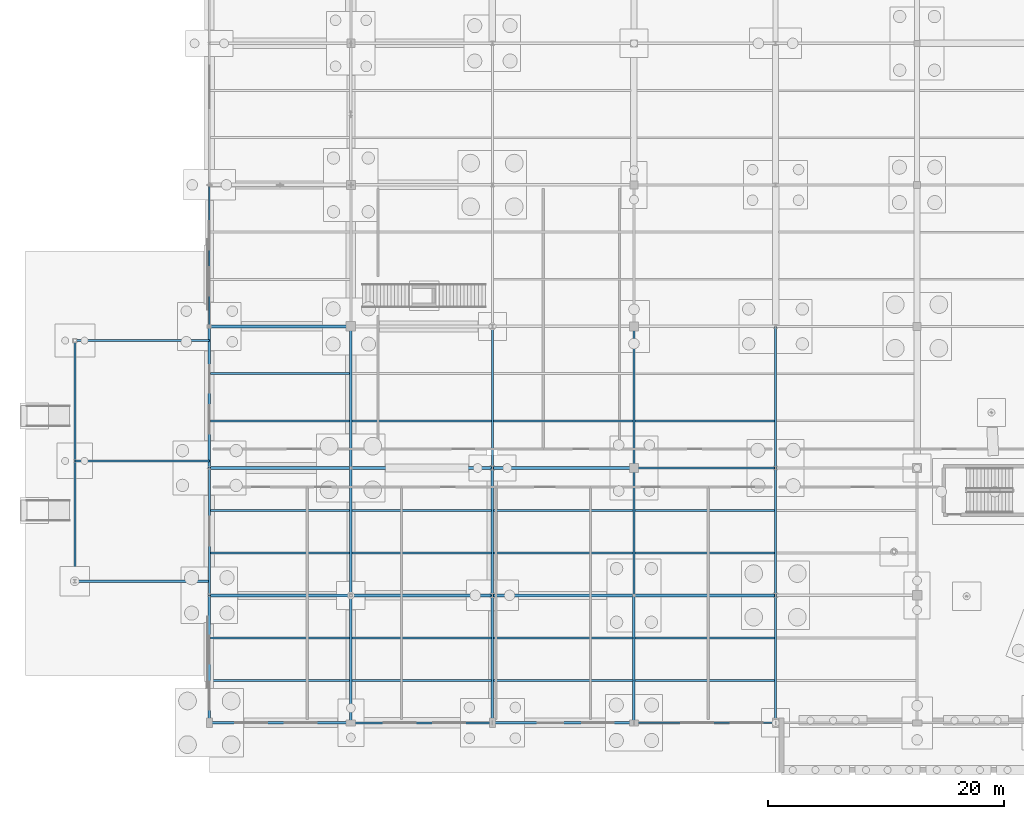
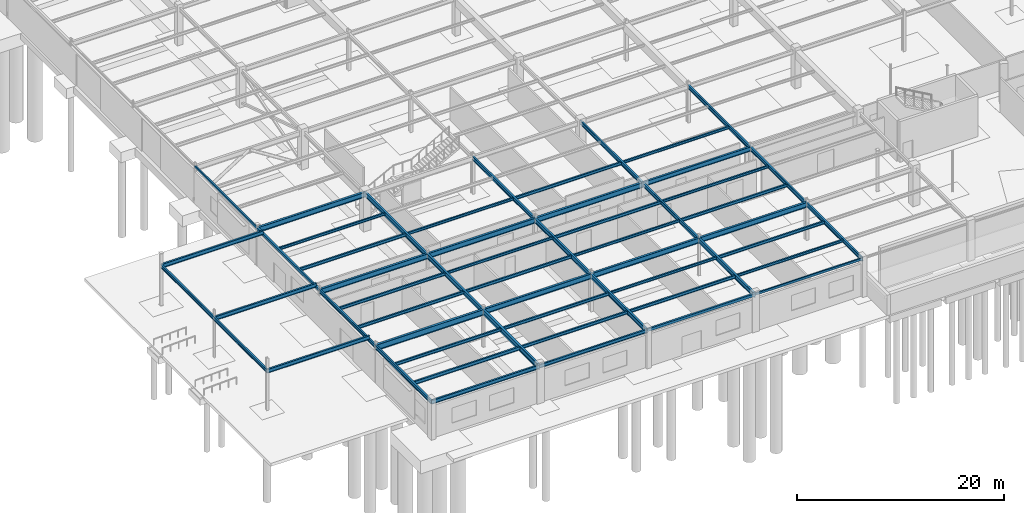
# One storey, part 78 of 136: 54 beams.
"""IFC4 building model written with IfcOpenShell, lengths in metres."""

from ifc_helpers import new_model, si_unit, direction, frame, origin, origin_2d, place, context, subcontext, project, spatial, hollow_rectangle, i_section, extrude, material, material_profile, profile_set, type_object, element, save


model = new_model("IFC4")

# Units and contexts
model_context = context("Model", 3, precision=1e-05, world=origin(), true_north=direction((0.0, 1.0)))
body_context = subcontext(model_context, "Body", "Model", "MODEL_VIEW")
ifc_project = project(units=[si_unit("LENGTHUNIT", "METRE"), si_unit("AREAUNIT", "SQUARE_METRE"), si_unit("VOLUMEUNIT", "CUBIC_METRE"), si_unit("PLANEANGLEUNIT", "RADIAN"), si_unit("MASSUNIT", "GRAM", prefix="KILO")], contexts=[model_context])

# Site, building, storey
site_placement = place(None, origin())
site = spatial("IfcSite", under=ifc_project, at=site_placement, CompositionType="ELEMENT")
building_placement = place(site_placement, origin())
building = spatial("IfcBuilding", under=site, at=building_placement, Name="Tarnwether General Hospital", CompositionType="ELEMENT")
storey_placement = place(building_placement, frame((0.0, 0.0, -4.800048828125)))
storey = spatial("IfcBuildingStorey", under=building, at=storey_placement, Name="LG", CompositionType="ELEMENT", Elevation=-4.800048828125)

# Beams
ifc_material_1 = material(Name="Steel Grade 350 (350 MPa)", Category="steel")
ifc_material_profile_1 = material_profile(ifc_material_1, i_section(OverallWidth=0.25, OverallDepth=0.69189453125, WebThickness=0.009033203125, FlangeThickness=0.01611328125, at=origin_2d()), Name="700WB115")
ifc_profile_set_1 = profile_set([ifc_material_profile_1], Name="Steel Grade 350 (350 MPa)")
beam_type_1 = type_object("IfcBeamType", Name="BM-G02", PredefinedType="BEAM", material=ifc_profile_set_1)
beam_1_placement = place(storey_placement, frame((0.0, 10.800048828125, 4.083984375), z_axis=(1.0, 0.0, 0.0), x_axis=(0.0, 1.0, 0.0)))
element("IfcBeam", 1, at=beam_1_placement, inside=storey, type_object=beam_type_1, Name="Primary Girder BMG-LG-0_1080-1200_1080-0011", PredefinedType="BEAM", context=body_context, shape_type="SweptSolid", body=[
    extrude(i_section(OverallWidth=0.25, OverallDepth=0.69189453125, WebThickness=0.009033203125, FlangeThickness=0.01611328125, at=origin_2d()), origin(), (0.0, 0.0, 1.0), 12.0),
])
ifc_material_2 = material(Name="Steel Grade 350 (350 MPa)", Category="steel")
ifc_material_profile_2 = material_profile(ifc_material_2, i_section(OverallWidth=0.22900390625, OverallDepth=0.612060546875, WebThickness=0.011962890625, FlangeThickness=0.01953125, at=origin_2d()), Name="610UB125")
ifc_profile_set_2 = profile_set([ifc_material_profile_2], Name="Steel Grade 350 (350 MPa)")
beam_type_2 = type_object("IfcBeamType", Name="BM-G03", PredefinedType="BEAM", material=ifc_profile_set_2)
for number, where, z_axis, x_axis, name in (
    (2, (0.0, 21.60009765625, 4.1240234375), (1.0, 0.0, 0.0), (0.0, 1.0, 0.0), "Primary Girder BMG-LG-0_2160-1200_2160-0013"),
    (3, (12.0, 10.800048828125, 4.1240234375), (1.0, 0.0, 0.0), (0.0, 1.0, 0.0), "Primary Girder BMG-LG-1200_1080-2400_1080-0034"),
):
    element("IfcBeam", number, at=place(storey_placement, frame(where, z_axis=z_axis, x_axis=x_axis)), inside=storey, type_object=beam_type_2, Name=name, PredefinedType="BEAM", context=body_context, shape_type="SweptSolid", body=[
        extrude(i_section(OverallWidth=0.22900390625, OverallDepth=0.612060546875, WebThickness=0.011962890625, FlangeThickness=0.01953125, at=origin_2d()), origin(), (0.0, 0.0, 1.0), 12.0),
    ])
ifc_material_3 = material(Name="Steel Grade 350 (350 MPa)", Category="steel")
ifc_material_profile_3 = material_profile(ifc_material_3, i_section(OverallWidth=0.22802734375, OverallDepth=0.60693359375, WebThickness=0.01123046875, FlangeThickness=0.017333984375, at=origin_2d()), Name="610UB113")
ifc_profile_set_3 = profile_set([ifc_material_profile_3], Name="Steel Grade 350 (350 MPa)")
beam_type_3 = type_object("IfcBeamType", Name="BM-G04", PredefinedType="BEAM", material=ifc_profile_set_3)
for number, where, z_axis, x_axis, name in (
    (4, (0.0, 33.60009765625, 4.12646484375), (1.0, 0.0, 0.0), (0.0, 1.0, 0.0), "Primary Girder BMG-LG-0_3360-1200_3360-0015"),
    (5, (12.0, 21.60009765625, 4.12646484375), (1.0, 0.0, 0.0), (0.0, 1.0, 0.0), "Primary Girder BMG-LG-1200_2160-2400_2160-0036"),
    (6, (24.0, 10.800048828125, 4.12646484375), (1.0, 0.0, 0.0), (0.0, 1.0, 0.0), "Primary Girder BMG-LG-2400_1080-3600_1080-0057"),
):
    element("IfcBeam", number, at=place(storey_placement, frame(where, z_axis=z_axis, x_axis=x_axis)), inside=storey, type_object=beam_type_3, Name=name, PredefinedType="BEAM", context=body_context, shape_type="SweptSolid", body=[
        extrude(i_section(OverallWidth=0.22802734375, OverallDepth=0.60693359375, WebThickness=0.01123046875, FlangeThickness=0.017333984375, at=origin_2d()), origin(), (0.0, 0.0, 1.0), 12.0),
    ])
ifc_material_4 = material(Name="Steel Grade 350 (350 MPa)", Category="steel")
ifc_material_profile_4 = material_profile(ifc_material_4, i_section(OverallWidth=0.22802734375, OverallDepth=0.60205078125, WebThickness=0.010498046875, FlangeThickness=0.014892578125, at=origin_2d()), Name="610UB101")
ifc_profile_set_4 = profile_set([ifc_material_profile_4], Name="Steel Grade 350 (350 MPa)")
beam_type_4 = type_object("IfcBeamType", Name="BM-G05", PredefinedType="BEAM", material=ifc_profile_set_4)
beam_2_placement = place(storey_placement, frame((12.0, 0.0, 4.129150390625), z_axis=(0.0, 1.0, 0.0), x_axis=(-1.0, 0.0, 0.0)))
element("IfcBeam", 7, at=beam_2_placement, inside=storey, type_object=beam_type_4, Name="Primary Girder BMG-LG-1200_0-1200_1080-0033", PredefinedType="BEAM", context=body_context, shape_type="SweptSolid", body=[
    extrude(i_section(OverallWidth=0.22802734375, OverallDepth=0.60205078125, WebThickness=0.010498046875, FlangeThickness=0.014892578125, at=origin_2d()), origin(), (0.0, 0.0, 1.0), 10.800048828125),
])
for number, where, z_axis, x_axis, name in (
    (8, (24.0, 21.60009765625, 4.129150390625), (1.0, 0.0, 0.0), (0.0, 1.0, 0.0), "Primary Girder BMG-LG-2400_2160-3600_2160-0059"),
    (9, (36.0, 10.800048828125, 4.129150390625), (1.0, 0.0, 0.0), (0.0, 1.0, 0.0), "Primary Girder BMG-LG-3600_1080-4800_1080-0080"),
):
    element("IfcBeam", number, at=place(storey_placement, frame(where, z_axis=z_axis, x_axis=x_axis)), inside=storey, type_object=beam_type_4, Name=name, PredefinedType="BEAM", context=body_context, shape_type="SweptSolid", body=[
        extrude(i_section(OverallWidth=0.22802734375, OverallDepth=0.60205078125, WebThickness=0.010498046875, FlangeThickness=0.014892578125, at=origin_2d()), origin(), (0.0, 0.0, 1.0), 12.0),
    ])
ifc_material_5 = material(Name="Steel Grade 350 (350 MPa)", Category="steel")
ifc_material_profile_5 = material_profile(ifc_material_5, i_section(OverallWidth=0.208984375, OverallDepth=0.532958984375, WebThickness=0.01025390625, FlangeThickness=0.015625, at=origin_2d()), Name="530UB92.4")
ifc_profile_set_5 = profile_set([ifc_material_profile_5], Name="Steel Grade 350 (350 MPa)")
beam_type_5 = type_object("IfcBeamType", Name="BM-G06", PredefinedType="BEAM", material=ifc_profile_set_5)
for number, where, z_axis, x_axis, name in (
    (10, (12.0, 10.800048828125, 4.16357421875), (0.0, 1.0, 0.0), (-1.0, 0.0, 0.0), "Primary Girder BMG-LG-1200_1080-1200_2160-0035"),
    (11, (24.0, 0.0, 4.16357421875), (0.0, 1.0, 0.0), (-1.0, 0.0, 0.0), "Primary Girder BMG-LG-2400_0-2400_1080-0056"),
):
    element("IfcBeam", number, at=place(storey_placement, frame(where, z_axis=z_axis, x_axis=x_axis)), inside=storey, type_object=beam_type_5, Name=name, PredefinedType="BEAM", context=body_context, shape_type="SweptSolid", body=[
        extrude(i_section(OverallWidth=0.208984375, OverallDepth=0.532958984375, WebThickness=0.01025390625, FlangeThickness=0.015625, at=origin_2d()), origin(), (0.0, 0.0, 1.0), 10.800048828125),
    ])
beam_3_placement = place(storey_placement, frame((36.0, 21.60009765625, 4.16357421875), z_axis=(1.0, 0.0, 0.0), x_axis=(0.0, 1.0, 0.0)))
element("IfcBeam", 12, at=beam_3_placement, inside=storey, type_object=beam_type_5, Name="Primary Girder BMG-LG-3600_2160-4800_2160-0082", PredefinedType="BEAM", context=body_context, shape_type="SweptSolid", body=[
    extrude(i_section(OverallWidth=0.208984375, OverallDepth=0.532958984375, WebThickness=0.01025390625, FlangeThickness=0.015625, at=origin_2d()), origin(), (0.0, 0.0, 1.0), 12.0),
])
ifc_material_6 = material(Name="Steel Grade 350 (350 MPa)", Category="steel")
ifc_material_profile_6 = material_profile(ifc_material_6, i_section(OverallWidth=0.208984375, OverallDepth=0.528076171875, WebThickness=0.009521484375, FlangeThickness=0.01318359375, at=origin_2d()), Name="530UB82.0")
ifc_profile_set_6 = profile_set([ifc_material_profile_6], Name="Steel Grade 350 (350 MPa)")
beam_type_6 = type_object("IfcBeamType", Name="BM-G07", PredefinedType="BEAM", material=ifc_profile_set_6)
beam_4_placement = place(storey_placement, frame((12.0, 21.60009765625, 4.166015625), z_axis=(0.0, 1.0, 0.0), x_axis=(-1.0, 0.0, 0.0)))
element("IfcBeam", 13, at=beam_4_placement, inside=storey, type_object=beam_type_6, Name="Primary Girder BMG-LG-1200_2160-1200_3360-0037", PredefinedType="BEAM", context=body_context, shape_type="SweptSolid", body=[
    extrude(i_section(OverallWidth=0.208984375, OverallDepth=0.528076171875, WebThickness=0.009521484375, FlangeThickness=0.01318359375, at=origin_2d()), origin(), (0.0, 0.0, 1.0), 12.0),
])
for number, where, z_axis, x_axis, name in (
    (14, (24.0, 10.800048828125, 4.166015625), (0.0, 1.0, 0.0), (-1.0, 0.0, 0.0), "Primary Girder BMG-LG-2400_1080-2400_2160-0058"),
    (15, (36.0, 0.0, 4.166015625), (0.0, 1.0, 0.0), (-1.0, 0.0, 0.0), "Primary Girder BMG-LG-3600_0-3600_1080-0079"),
):
    element("IfcBeam", number, at=place(storey_placement, frame(where, z_axis=z_axis, x_axis=x_axis)), inside=storey, type_object=beam_type_6, Name=name, PredefinedType="BEAM", context=body_context, shape_type="SweptSolid", body=[
        extrude(i_section(OverallWidth=0.208984375, OverallDepth=0.528076171875, WebThickness=0.009521484375, FlangeThickness=0.01318359375, at=origin_2d()), origin(), (0.0, 0.0, 1.0), 10.800048828125),
    ])
ifc_material_7 = material(Name="Steel Grade 350 (350 MPa)", Category="steel")
ifc_material_profile_7 = material_profile(ifc_material_7, i_section(OverallWidth=0.19091796875, OverallDepth=0.4599609375, WebThickness=0.010009765625, FlangeThickness=0.01611328125, at=origin_2d()), Name="460UB82.1")
ifc_profile_set_7 = profile_set([ifc_material_profile_7], Name="Steel Grade 350 (350 MPa)")
beam_type_7 = type_object("IfcBeamType", Name="BM-G08", PredefinedType="BEAM", material=ifc_profile_set_7)
beam_5_placement = place(storey_placement, frame((24.0, 21.60009765625, 4.199951171875), z_axis=(0.0, 1.0, 0.0), x_axis=(-1.0, 0.0, 0.0)))
element("IfcBeam", 16, at=beam_5_placement, inside=storey, type_object=beam_type_7, Name="Primary Girder BMG-LG-2400_2160-2400_3360-0060", PredefinedType="BEAM", context=body_context, shape_type="SweptSolid", body=[
    extrude(i_section(OverallWidth=0.19091796875, OverallDepth=0.4599609375, WebThickness=0.010009765625, FlangeThickness=0.01611328125, at=origin_2d()), origin(), (0.0, 0.0, 1.0), 12.0),
])
for number, where, z_axis, x_axis, name in (
    (17, (36.0, 10.800048828125, 4.199951171875), (0.0, 1.0, 0.0), (-1.0, 0.0, 0.0), "Primary Girder BMG-LG-3600_1080-3600_2160-0081"),
    (18, (48.0, 0.0, 4.199951171875), (0.0, 1.0, 0.0), (-1.0, 0.0, 0.0), "Primary Girder BMG-LG-4800_0-4800_1080-0100"),
):
    element("IfcBeam", number, at=place(storey_placement, frame(where, z_axis=z_axis, x_axis=x_axis)), inside=storey, type_object=beam_type_7, Name=name, PredefinedType="BEAM", context=body_context, shape_type="SweptSolid", body=[
        extrude(i_section(OverallWidth=0.19091796875, OverallDepth=0.4599609375, WebThickness=0.010009765625, FlangeThickness=0.01611328125, at=origin_2d()), origin(), (0.0, 0.0, 1.0), 10.800048828125),
    ])
for number, where, z_axis, x_axis, name in (
    (19, (-11.39990234375, 12.0, 4.570068359375), (1.0, 0.0, 0.0), (0.0, 1.0, 0.0), "Ambulance Canopy Girder BMG-LG--1140_1200-0_1200-1878"),
    (20, (-11.39990234375, 22.199951171875, 4.570068359375), (1.0, 0.0, 0.0), (0.0, 1.0, 0.0), "Ambulance Canopy Girder BMG-LG--1140_2220-0_2220-1879"),
    (21, (-11.39990234375, 32.39990234375, 4.570068359375), (1.0, 0.0, 0.0), (0.0, 1.0, 0.0), "Ambulance Canopy Girder BMG-LG--1140_3240-0_3240-1880"),
):
    element("IfcBeam", number, at=place(storey_placement, frame(where, z_axis=z_axis, x_axis=x_axis)), inside=storey, type_object=beam_type_7, Name=name, PredefinedType="BEAM", context=body_context, shape_type="SweptSolid", body=[
        extrude(i_section(OverallWidth=0.19091796875, OverallDepth=0.4599609375, WebThickness=0.010009765625, FlangeThickness=0.01611328125, at=origin_2d()), origin(), (0.0, 0.0, 1.0), 11.39990234375),
    ])
ifc_material_8 = material(Name="Steel Grade 350 (350 MPa)", Category="steel")
ifc_material_profile_8 = material_profile(ifc_material_8, i_section(OverallWidth=0.18994140625, OverallDepth=0.45703125, WebThickness=0.009033203125, FlangeThickness=0.014404296875, at=origin_2d()), Name="460UB74.6")
ifc_profile_set_8 = profile_set([ifc_material_profile_8], Name="Steel Grade 350 (350 MPa)")
beam_type_8 = type_object("IfcBeamType", Name="BM-G09", PredefinedType="BEAM", material=ifc_profile_set_8)
beam_6_placement = place(storey_placement, frame((36.0, 21.60009765625, 4.20166015625), z_axis=(0.0, 1.0, 0.0), x_axis=(-1.0, 0.0, 0.0)))
element("IfcBeam", 22, at=beam_6_placement, inside=storey, type_object=beam_type_8, Name="Primary Girder BMG-LG-3600_2160-3600_3360-0083", PredefinedType="BEAM", context=body_context, shape_type="SweptSolid", body=[
    extrude(i_section(OverallWidth=0.18994140625, OverallDepth=0.45703125, WebThickness=0.009033203125, FlangeThickness=0.014404296875, at=origin_2d()), origin(), (0.0, 0.0, 1.0), 12.0),
])
beam_7_placement = place(storey_placement, frame((48.0, 10.800048828125, 4.20166015625), z_axis=(0.0, 1.0, 0.0), x_axis=(-1.0, 0.0, 0.0)))
element("IfcBeam", 23, at=beam_7_placement, inside=storey, type_object=beam_type_8, Name="Primary Girder BMG-LG-4800_1080-4800_2160-0102", PredefinedType="BEAM", context=body_context, shape_type="SweptSolid", body=[
    extrude(i_section(OverallWidth=0.18994140625, OverallDepth=0.45703125, WebThickness=0.009033203125, FlangeThickness=0.014404296875, at=origin_2d()), origin(), (0.0, 0.0, 1.0), 10.800048828125),
])
ifc_material_9 = material(Name="Steel Grade 350 (350 MPa)", Category="steel")
ifc_material_profile_9 = material_profile(ifc_material_9, i_section(OverallWidth=0.18994140625, OverallDepth=0.4541015625, WebThickness=0.008544921875, FlangeThickness=0.0126953125, at=origin_2d()), Name="460UB67.1")
ifc_profile_set_9 = profile_set([ifc_material_profile_9], Name="Steel Grade 350 (350 MPa)")
beam_type_9 = type_object("IfcBeamType", Name="BM-G10", PredefinedType="BEAM", material=ifc_profile_set_9)
beam_8_placement = place(storey_placement, frame((48.0, 21.60009765625, 4.203125), z_axis=(0.0, 1.0, 0.0), x_axis=(-1.0, 0.0, 0.0)))
element("IfcBeam", 24, at=beam_8_placement, inside=storey, type_object=beam_type_9, Name="Primary Girder BMG-LG-4800_2160-4800_3360-0104", PredefinedType="BEAM", context=body_context, shape_type="SweptSolid", body=[
    extrude(i_section(OverallWidth=0.18994140625, OverallDepth=0.4541015625, WebThickness=0.008544921875, FlangeThickness=0.0126953125, at=origin_2d()), origin(), (0.0, 0.0, 1.0), 12.0),
])
ifc_material_10 = material(Name="Steel Grade 350 (350 MPa)", Category="steel")
ifc_material_profile_10 = material_profile(ifc_material_10, i_section(OverallWidth=0.177978515625, OverallDepth=0.403076171875, WebThickness=0.007568359375, FlangeThickness=0.010986328125, at=origin_2d()), Name="410UB53.7")
ifc_profile_set_10 = profile_set([ifc_material_profile_10], Name="Steel Grade 350 (350 MPa)")
beam_type_10 = type_object("IfcBeamType", Name="BM-J02", PredefinedType="JOIST", material=ifc_profile_set_10)
beam_9_placement = place(storey_placement, frame((0.089111328125, 3.60009765625, 4.228515625), z_axis=(1.0, 0.0, 0.0), x_axis=(0.0, 1.0, 0.0)))
element("IfcBeam", 25, at=beam_9_placement, inside=storey, type_object=beam_type_10, Name="Composite Floor Joist BMG-LG-9_360-1189_360-0334", PredefinedType="JOIST", context=body_context, shape_type="SweptSolid", body=[
    extrude(i_section(OverallWidth=0.177978515625, OverallDepth=0.403076171875, WebThickness=0.007568359375, FlangeThickness=0.010986328125, at=origin_2d()), origin(), (0.0, 0.0, 1.0), 11.802978515625),
])
ifc_material_11 = material(Name="Steel Grade 350 (350 MPa)", Category="steel")
ifc_material_profile_11 = material_profile(ifc_material_11, i_section(OverallWidth=0.172119140625, OverallDepth=0.35888671875, WebThickness=0.008056640625, FlangeThickness=0.012939453125, at=origin_2d()), Name="360UB56.7")
ifc_profile_set_11 = profile_set([ifc_material_profile_11], Name="Steel Grade 350 (350 MPa)")
beam_type_11 = type_object("IfcBeamType", Name="BM-J03", PredefinedType="JOIST", material=ifc_profile_set_11)
beam_10_placement = place(storey_placement, frame((0.089111328125, 7.199951171875, 4.25048828125), z_axis=(1.0, 0.0, 0.0), x_axis=(0.0, 1.0, 0.0)))
element("IfcBeam", 26, at=beam_10_placement, inside=storey, type_object=beam_type_11, Name="Composite Floor Joist BMG-LG-9_720-1189_720-0335", PredefinedType="JOIST", context=body_context, shape_type="SweptSolid", body=[
    extrude(i_section(OverallWidth=0.172119140625, OverallDepth=0.35888671875, WebThickness=0.008056640625, FlangeThickness=0.012939453125, at=origin_2d()), origin(), (0.0, 0.0, 1.0), 11.802978515625),
])
beam_11_placement = place(storey_placement, frame((0.0830078125, 14.39990234375, 4.25048828125), z_axis=(1.0, 0.0, 0.0), x_axis=(0.0, 1.0, 0.0)))
element("IfcBeam", 27, at=beam_11_placement, inside=storey, type_object=beam_type_11, Name="Composite Floor Joist BMG-LG-8_1440-1190_1440-0336", PredefinedType="JOIST", context=body_context, shape_type="SweptSolid", body=[
    extrude(i_section(OverallWidth=0.172119140625, OverallDepth=0.35888671875, WebThickness=0.008056640625, FlangeThickness=0.012939453125, at=origin_2d()), origin(), (0.0, 0.0, 1.0), 11.819091796875),
])
beam_12_placement = place(storey_placement, frame((12.10791015625, 3.60009765625, 4.25048828125), z_axis=(1.0, 0.0, 0.0), x_axis=(0.0, 1.0, 0.0)))
element("IfcBeam", 28, at=beam_12_placement, inside=storey, type_object=beam_type_11, Name="Composite Floor Joist BMG-LG-1211_360-2390_360-0356", PredefinedType="JOIST", context=body_context, shape_type="SweptSolid", body=[
    extrude(i_section(OverallWidth=0.172119140625, OverallDepth=0.35888671875, WebThickness=0.008056640625, FlangeThickness=0.012939453125, at=origin_2d()), origin(), (0.0, 0.0, 1.0), 11.79296875),
])
ifc_material_12 = material(Name="Steel Grade 350 (350 MPa)", Category="steel")
ifc_material_profile_12 = material_profile(ifc_material_12, i_section(OverallWidth=0.1708984375, OverallDepth=0.35595703125, WebThickness=0.00732421875, FlangeThickness=0.011474609375, at=origin_2d()), Name="360UB50.7")
ifc_profile_set_12 = profile_set([ifc_material_profile_12], Name="Steel Grade 350 (350 MPa)")
beam_type_12 = type_object("IfcBeamType", Name="BM-J04", PredefinedType="JOIST", material=ifc_profile_set_12)
beam_13_placement = place(storey_placement, frame((0.0830078125, 18.0, 4.251953125), z_axis=(1.0, 0.0, 0.0), x_axis=(0.0, 1.0, 0.0)))
element("IfcBeam", 29, at=beam_13_placement, inside=storey, type_object=beam_type_12, Name="Composite Floor Joist BMG-LG-8_1800-1190_1800-0337", PredefinedType="JOIST", context=body_context, shape_type="SweptSolid", body=[
    extrude(i_section(OverallWidth=0.1708984375, OverallDepth=0.35595703125, WebThickness=0.00732421875, FlangeThickness=0.011474609375, at=origin_2d()), origin(), (0.0, 0.0, 1.0), 11.819091796875),
])
beam_14_placement = place(storey_placement, frame((0.093994140625, 25.60009765625, 4.251953125), z_axis=(1.0, 0.0, 0.0), x_axis=(0.0, 1.0, 0.0)))
element("IfcBeam", 30, at=beam_14_placement, inside=storey, type_object=beam_type_12, Name="Composite Floor Joist BMG-LG-9_2560-1190_2560-0338", PredefinedType="JOIST", context=body_context, shape_type="SweptSolid", body=[
    extrude(i_section(OverallWidth=0.1708984375, OverallDepth=0.35595703125, WebThickness=0.00732421875, FlangeThickness=0.011474609375, at=origin_2d()), origin(), (0.0, 0.0, 1.0), 11.80810546875),
])
beam_15_placement = place(storey_placement, frame((12.10791015625, 7.199951171875, 4.251953125), z_axis=(1.0, 0.0, 0.0), x_axis=(0.0, 1.0, 0.0)))
element("IfcBeam", 31, at=beam_15_placement, inside=storey, type_object=beam_type_12, Name="Composite Floor Joist BMG-LG-1211_720-2390_720-0357", PredefinedType="JOIST", context=body_context, shape_type="SweptSolid", body=[
    extrude(i_section(OverallWidth=0.1708984375, OverallDepth=0.35595703125, WebThickness=0.00732421875, FlangeThickness=0.011474609375, at=origin_2d()), origin(), (0.0, 0.0, 1.0), 11.79296875),
])
beam_16_placement = place(storey_placement, frame((12.097900390625, 14.39990234375, 4.251953125), z_axis=(1.0, 0.0, 0.0), x_axis=(0.0, 1.0, 0.0)))
element("IfcBeam", 32, at=beam_16_placement, inside=storey, type_object=beam_type_12, Name="Composite Floor Joist BMG-LG-1210_1440-2390_1440-0358", PredefinedType="JOIST", context=body_context, shape_type="SweptSolid", body=[
    extrude(i_section(OverallWidth=0.1708984375, OverallDepth=0.35595703125, WebThickness=0.00732421875, FlangeThickness=0.011474609375, at=origin_2d()), origin(), (0.0, 0.0, 1.0), 11.802978515625),
])
beam_17_placement = place(storey_placement, frame((24.09912109375, 3.60009765625, 4.251953125), z_axis=(1.0, 0.0, 0.0), x_axis=(0.0, 1.0, 0.0)))
element("IfcBeam", 33, at=beam_17_placement, inside=storey, type_object=beam_type_12, Name="Composite Floor Joist BMG-LG-2410_360-3590_360-0377", PredefinedType="JOIST", context=body_context, shape_type="SweptSolid", body=[
    extrude(i_section(OverallWidth=0.1708984375, OverallDepth=0.35595703125, WebThickness=0.00732421875, FlangeThickness=0.011474609375, at=origin_2d()), origin(), (0.0, 0.0, 1.0), 11.8017578125),
])
ifc_material_13 = material(Name="Steel Grade 350 (350 MPa)", Category="steel")
ifc_material_profile_13 = material_profile(ifc_material_13, i_section(OverallWidth=0.166015625, OverallDepth=0.306884765625, WebThickness=0.006591796875, FlangeThickness=0.01171875, at=origin_2d()), Name="310UB46.2")
ifc_profile_set_13 = profile_set([ifc_material_profile_13], Name="Steel Grade 350 (350 MPa)")
beam_type_13 = type_object("IfcBeamType", Name="BM-J05", PredefinedType="JOIST", material=ifc_profile_set_13)
beam_18_placement = place(storey_placement, frame((0.093994140625, 29.60009765625, 4.276611328125), z_axis=(1.0, 0.0, 0.0), x_axis=(0.0, 1.0, 0.0)))
element("IfcBeam", 34, at=beam_18_placement, inside=storey, type_object=beam_type_13, Name="Composite Floor Joist BMG-LG-9_2960-1190_2960-0339", PredefinedType="JOIST", context=body_context, shape_type="SweptSolid", body=[
    extrude(i_section(OverallWidth=0.166015625, OverallDepth=0.306884765625, WebThickness=0.006591796875, FlangeThickness=0.01171875, at=origin_2d()), origin(), (0.0, 0.0, 1.0), 11.80810546875),
])
beam_19_placement = place(storey_placement, frame((12.097900390625, 18.0, 4.276611328125), z_axis=(1.0, 0.0, 0.0), x_axis=(0.0, 1.0, 0.0)))
element("IfcBeam", 35, at=beam_19_placement, inside=storey, type_object=beam_type_13, Name="Composite Floor Joist BMG-LG-1210_1800-2390_1800-0359", PredefinedType="JOIST", context=body_context, shape_type="SweptSolid", body=[
    extrude(i_section(OverallWidth=0.166015625, OverallDepth=0.306884765625, WebThickness=0.006591796875, FlangeThickness=0.01171875, at=origin_2d()), origin(), (0.0, 0.0, 1.0), 11.802978515625),
])
beam_20_placement = place(storey_placement, frame((12.097900390625, 25.60009765625, 4.276611328125), z_axis=(1.0, 0.0, 0.0), x_axis=(0.0, 1.0, 0.0)))
element("IfcBeam", 36, at=beam_20_placement, inside=storey, type_object=beam_type_13, Name="Composite Floor Joist BMG-LG-1210_2560-2391_2560-0360", PredefinedType="JOIST", context=body_context, shape_type="SweptSolid", body=[
    extrude(i_section(OverallWidth=0.166015625, OverallDepth=0.306884765625, WebThickness=0.006591796875, FlangeThickness=0.01171875, at=origin_2d()), origin(), (0.0, 0.0, 1.0), 11.81201171875),
])
beam_21_placement = place(storey_placement, frame((24.09912109375, 7.199951171875, 4.276611328125), z_axis=(1.0, 0.0, 0.0), x_axis=(0.0, 1.0, 0.0)))
element("IfcBeam", 37, at=beam_21_placement, inside=storey, type_object=beam_type_13, Name="Composite Floor Joist BMG-LG-2410_720-3590_720-0378", PredefinedType="JOIST", context=body_context, shape_type="SweptSolid", body=[
    extrude(i_section(OverallWidth=0.166015625, OverallDepth=0.306884765625, WebThickness=0.006591796875, FlangeThickness=0.01171875, at=origin_2d()), origin(), (0.0, 0.0, 1.0), 11.8017578125),
])
for number, where, z_axis, x_axis, name in (
    (38, (24.09912109375, 14.39990234375, 4.276611328125), (1.0, 0.0, 0.0), (0.0, 1.0, 0.0), "Composite Floor Joist BMG-LG-2410_1440-3591_1440-0379"),
    (39, (36.09912109375, 3.60009765625, 4.276611328125), (1.0, 0.0, 0.0), (0.0, 1.0, 0.0), "Composite Floor Joist BMG-LG-3610_360-4791_360-0395"),
):
    element("IfcBeam", number, at=place(storey_placement, frame(where, z_axis=z_axis, x_axis=x_axis)), inside=storey, type_object=beam_type_13, Name=name, PredefinedType="JOIST", context=body_context, shape_type="SweptSolid", body=[
        extrude(i_section(OverallWidth=0.166015625, OverallDepth=0.306884765625, WebThickness=0.006591796875, FlangeThickness=0.01171875, at=origin_2d()), origin(), (0.0, 0.0, 1.0), 11.810791015625),
    ])
ifc_material_14 = material(Name="Steel Grade 350 (350 MPa)", Category="steel")
ifc_material_profile_14 = material_profile(ifc_material_14, i_section(OverallWidth=0.1708984375, OverallDepth=0.35205078125, WebThickness=0.0068359375, FlangeThickness=0.009765625, at=origin_2d()), Name="360UB44.7")
ifc_profile_set_14 = profile_set([ifc_material_profile_14], Name="Steel Grade 350 (350 MPa)")
beam_type_14 = type_object("IfcBeamType", Name="BM-J06", PredefinedType="JOIST", material=ifc_profile_set_14)
beam_22_placement = place(storey_placement, frame((24.09912109375, 18.0, 4.254150390625), z_axis=(1.0, 0.0, 0.0), x_axis=(0.0, 1.0, 0.0)))
element("IfcBeam", 40, at=beam_22_placement, inside=storey, type_object=beam_type_14, Name="Composite Floor Joist BMG-LG-2410_1800-3591_1800-0380", PredefinedType="JOIST", context=body_context, shape_type="SweptSolid", body=[
    extrude(i_section(OverallWidth=0.1708984375, OverallDepth=0.35205078125, WebThickness=0.0068359375, FlangeThickness=0.009765625, at=origin_2d()), origin(), (0.0, 0.0, 1.0), 11.810791015625),
])
beam_23_placement = place(storey_placement, frame((24.090087890625, 25.60009765625, 4.254150390625), z_axis=(1.0, 0.0, 0.0), x_axis=(0.0, 1.0, 0.0)))
element("IfcBeam", 41, at=beam_23_placement, inside=storey, type_object=beam_type_14, Name="Composite Floor Joist BMG-LG-2409_2560-3591_2560-0381", PredefinedType="JOIST", context=body_context, shape_type="SweptSolid", body=[
    extrude(i_section(OverallWidth=0.1708984375, OverallDepth=0.35205078125, WebThickness=0.0068359375, FlangeThickness=0.009765625, at=origin_2d()), origin(), (0.0, 0.0, 1.0), 11.82080078125),
])
beam_24_placement = place(storey_placement, frame((36.09912109375, 7.199951171875, 4.254150390625), z_axis=(1.0, 0.0, 0.0), x_axis=(0.0, 1.0, 0.0)))
element("IfcBeam", 42, at=beam_24_placement, inside=storey, type_object=beam_type_14, Name="Composite Floor Joist BMG-LG-3610_720-4791_720-0396", PredefinedType="JOIST", context=body_context, shape_type="SweptSolid", body=[
    extrude(i_section(OverallWidth=0.1708984375, OverallDepth=0.35205078125, WebThickness=0.0068359375, FlangeThickness=0.009765625, at=origin_2d()), origin(), (0.0, 0.0, 1.0), 11.810791015625),
])
beam_25_placement = place(storey_placement, frame((36.090087890625, 14.39990234375, 4.254150390625), z_axis=(1.0, 0.0, 0.0), x_axis=(0.0, 1.0, 0.0)))
element("IfcBeam", 43, at=beam_25_placement, inside=storey, type_object=beam_type_14, Name="Composite Floor Joist BMG-LG-3609_1440-4791_1440-0397", PredefinedType="JOIST", context=body_context, shape_type="SweptSolid", body=[
    extrude(i_section(OverallWidth=0.1708984375, OverallDepth=0.35205078125, WebThickness=0.0068359375, FlangeThickness=0.009765625, at=origin_2d()), origin(), (0.0, 0.0, 1.0), 11.82080078125),
])
ifc_material_15 = material(Name="Steel Grade 350 (350 MPa)", Category="steel")
ifc_material_profile_15 = material_profile(ifc_material_15, i_section(OverallWidth=0.1650390625, OverallDepth=0.303955078125, WebThickness=0.006103515625, FlangeThickness=0.01025390625, at=origin_2d()), Name="310UB40.4")
ifc_profile_set_15 = profile_set([ifc_material_profile_15], Name="Steel Grade 350 (350 MPa)")
beam_type_15 = type_object("IfcBeamType", Name="BM-J07", PredefinedType="JOIST", material=ifc_profile_set_15)
beam_26_placement = place(storey_placement, frame((36.090087890625, 18.0, 4.278076171875), z_axis=(1.0, 0.0, 0.0), x_axis=(0.0, 1.0, 0.0)))
element("IfcBeam", 44, at=beam_26_placement, inside=storey, type_object=beam_type_15, Name="Composite Floor Joist BMG-LG-3609_1800-4791_1800-0398", PredefinedType="JOIST", context=body_context, shape_type="SweptSolid", body=[
    extrude(i_section(OverallWidth=0.1650390625, OverallDepth=0.303955078125, WebThickness=0.006103515625, FlangeThickness=0.01025390625, at=origin_2d()), origin(), (0.0, 0.0, 1.0), 11.82080078125),
])
beam_27_placement = place(storey_placement, frame((36.089111328125, 25.60009765625, 4.278076171875), z_axis=(1.0, 0.0, 0.0), x_axis=(0.0, 1.0, 0.0)))
element("IfcBeam", 45, at=beam_27_placement, inside=storey, type_object=beam_type_15, Name="Composite Floor Joist BMG-LG-3609_2560-4791_2560-0399", PredefinedType="JOIST", context=body_context, shape_type="SweptSolid", body=[
    extrude(i_section(OverallWidth=0.1650390625, OverallDepth=0.303955078125, WebThickness=0.006103515625, FlangeThickness=0.01025390625, at=origin_2d()), origin(), (0.0, 0.0, 1.0), 11.82177734375),
])
ifc_material_16 = material(Name="Steel Grade 350 (350 MPa)", Category="steel")
ifc_material_profile_16 = material_profile(ifc_material_16, i_section(OverallWidth=0.18994140625, OverallDepth=0.4541015625, WebThickness=0.008544921875, FlangeThickness=0.0126953125, at=origin_2d()), Name="460UB67.1")
ifc_profile_set_16 = profile_set([ifc_material_profile_16], Name="Steel Grade 350 (350 MPa)")
beam_type_16 = type_object("IfcBeamType", Name="BM-SP1", PredefinedType="SPANDREL", material=ifc_profile_set_16)
beam_28_placement = place(storey_placement, frame((0.0, 0.0, 4.203125), z_axis=(1.0, 0.0, 0.0), x_axis=(0.0, 1.0, 0.0)))
element("IfcBeam", 46, at=beam_28_placement, inside=storey, type_object=beam_type_16, Name="Primary Girder BMG-LG-0_0-1200_0-0009", PredefinedType="SPANDREL", context=body_context, shape_type="SweptSolid", body=[
    extrude(i_section(OverallWidth=0.18994140625, OverallDepth=0.4541015625, WebThickness=0.008544921875, FlangeThickness=0.0126953125, at=origin_2d()), origin(), (0.0, 0.0, 1.0), 12.0),
])
beam_29_placement = place(storey_placement, frame((0.0, 0.0, 4.203125), z_axis=(0.0, 1.0, 0.0), x_axis=(-1.0, 0.0, 0.0)))
element("IfcBeam", 47, at=beam_29_placement, inside=storey, type_object=beam_type_16, Name="Primary Girder BMG-LG-0_0-0_1080-0010", PredefinedType="SPANDREL", context=body_context, shape_type="SweptSolid", body=[
    extrude(i_section(OverallWidth=0.18994140625, OverallDepth=0.4541015625, WebThickness=0.008544921875, FlangeThickness=0.0126953125, at=origin_2d()), origin(), (0.0, 0.0, 1.0), 10.800048828125),
])
ifc_material_17 = material(Name="Steel Grade 350 (350 MPa)", Category="steel")
ifc_material_profile_17 = material_profile(ifc_material_17, i_section(OverallWidth=0.177978515625, OverallDepth=0.403076171875, WebThickness=0.007568359375, FlangeThickness=0.010986328125, at=origin_2d()), Name="410UB53.7")
ifc_profile_set_17 = profile_set([ifc_material_profile_17], Name="Steel Grade 350 (350 MPa)")
beam_type_17 = type_object("IfcBeamType", Name="BM-SP2", PredefinedType="SPANDREL", material=ifc_profile_set_17)
beam_30_placement = place(storey_placement, frame((0.0, 10.800048828125, 4.228515625), z_axis=(0.0, 1.0, 0.0), x_axis=(-1.0, 0.0, 0.0)))
element("IfcBeam", 48, at=beam_30_placement, inside=storey, type_object=beam_type_17, Name="Primary Girder BMG-LG-0_1080-0_2160-0012", PredefinedType="SPANDREL", context=body_context, shape_type="SweptSolid", body=[
    extrude(i_section(OverallWidth=0.177978515625, OverallDepth=0.403076171875, WebThickness=0.007568359375, FlangeThickness=0.010986328125, at=origin_2d()), origin(), (0.0, 0.0, 1.0), 10.800048828125),
])
beam_31_placement = place(storey_placement, frame((12.0, 0.0, 4.228515625), z_axis=(1.0, 0.0, 0.0), x_axis=(0.0, 1.0, 0.0)))
element("IfcBeam", 49, at=beam_31_placement, inside=storey, type_object=beam_type_17, Name="Primary Girder BMG-LG-1200_0-2400_0-0032", PredefinedType="SPANDREL", context=body_context, shape_type="SweptSolid", body=[
    extrude(i_section(OverallWidth=0.177978515625, OverallDepth=0.403076171875, WebThickness=0.007568359375, FlangeThickness=0.010986328125, at=origin_2d()), origin(), (0.0, 0.0, 1.0), 12.0),
])
beam_32_placement = place(storey_placement, frame((-11.39990234375, 12.0, 4.5986328125), z_axis=(0.0, 1.0, 0.0), x_axis=(-1.0, 0.0, 0.0)))
element("IfcBeam", 50, at=beam_32_placement, inside=storey, type_object=beam_type_17, Name="Ambulance Canopy Edge Beam BMG-LG--1140_1200--1140_3240-1881", PredefinedType="SPANDREL", context=body_context, shape_type="SweptSolid", body=[
    extrude(i_section(OverallWidth=0.177978515625, OverallDepth=0.403076171875, WebThickness=0.007568359375, FlangeThickness=0.010986328125, at=origin_2d()), origin(), (0.0, 0.0, 1.0), 20.39990234375),
])
ifc_material_18 = material(Name="Steel Grade C350L0 (350 MPa)", Category="steel")
ifc_material_profile_18 = material_profile(ifc_material_18, hollow_rectangle(XDim=0.199951171875, YDim=0.300048828125, WallThickness=0.012451171875, at=origin_2d()), Name="RHS300x200x12.5")
ifc_profile_set_18 = profile_set([ifc_material_profile_18], Name="Steel Grade C350L0 (350 MPa)")
beam_type_18 = type_object("IfcBeamType", Name="BM-SP3", PredefinedType="SPANDREL", material=ifc_profile_set_18)
for number, where, z_axis, x_axis, name in (
    (51, (0.0, 21.60009765625, 4.280029296875), (0.0, 1.0, 0.0), (-1.0, 0.0, 0.0), "Primary Girder BMG-LG-0_2160-0_3360-0014"),
    (52, (24.0, 0.0, 4.280029296875), (1.0, 0.0, 0.0), (0.0, 1.0, 0.0), "Primary Girder BMG-LG-2400_0-3600_0-0055"),
):
    element("IfcBeam", number, at=place(storey_placement, frame(where, z_axis=z_axis, x_axis=x_axis)), inside=storey, type_object=beam_type_18, Name=name, PredefinedType="SPANDREL", context=body_context, shape_type="SweptSolid", body=[
        extrude(hollow_rectangle(XDim=0.199951171875, YDim=0.300048828125, WallThickness=0.012451171875, at=origin_2d()), origin(), (0.0, 0.0, 1.0), 12.0),
    ])
ifc_material_19 = material(Name="Steel Grade C350L0 (350 MPa)", Category="steel")
ifc_material_profile_19 = material_profile(ifc_material_19, hollow_rectangle(XDim=0.14990234375, YDim=0.25, WallThickness=0.010009765625, at=origin_2d()), Name="RHS250x150x10")
ifc_profile_set_19 = profile_set([ifc_material_profile_19], Name="Steel Grade C350L0 (350 MPa)")
beam_type_19 = type_object("IfcBeamType", Name="BM-SP4", PredefinedType="SPANDREL", material=ifc_profile_set_19)
for number, where, z_axis, x_axis, name in (
    (53, (0.0, 33.60009765625, 4.304931640625), (0.0, 1.0, 0.0), (-1.0, 0.0, 0.0), "Primary Girder BMG-LG-0_3360-0_4560-0016"),
    (54, (36.0, 0.0, 4.304931640625), (1.0, 0.0, 0.0), (0.0, 1.0, 0.0), "Primary Girder BMG-LG-3600_0-4800_0-0078"),
):
    element("IfcBeam", number, at=place(storey_placement, frame(where, z_axis=z_axis, x_axis=x_axis)), inside=storey, type_object=beam_type_19, Name=name, PredefinedType="SPANDREL", context=body_context, shape_type="SweptSolid", body=[
        extrude(hollow_rectangle(XDim=0.14990234375, YDim=0.25, WallThickness=0.010009765625, at=origin_2d()), origin(), (0.0, 0.0, 1.0), 12.0),
    ])

save(model, "model.ifc")
